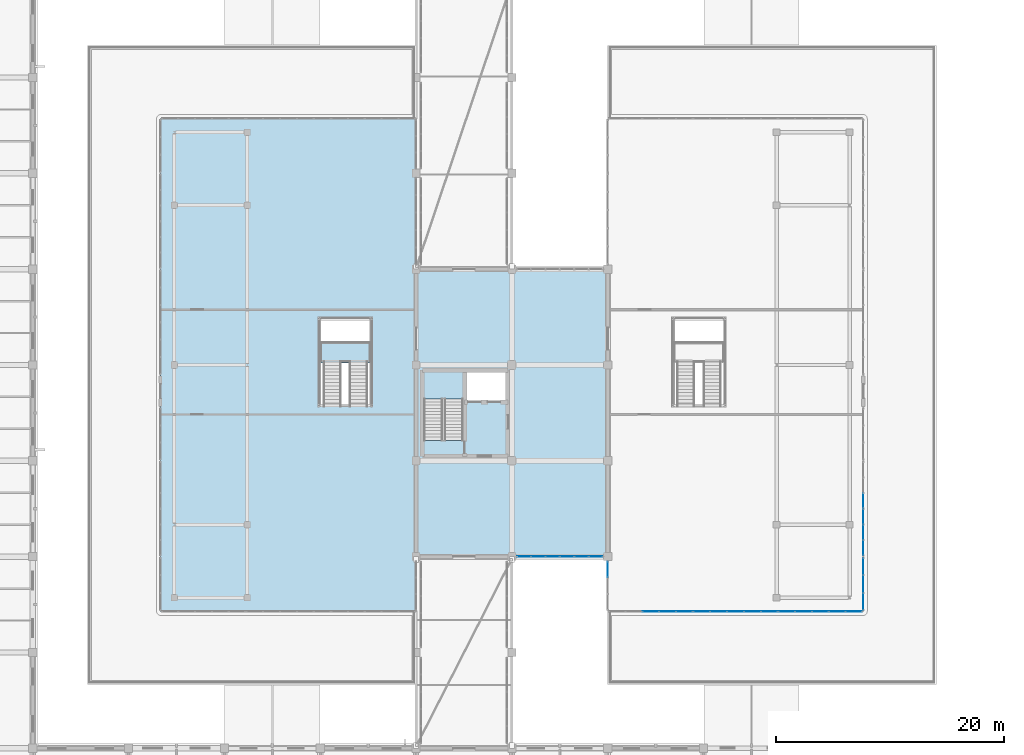
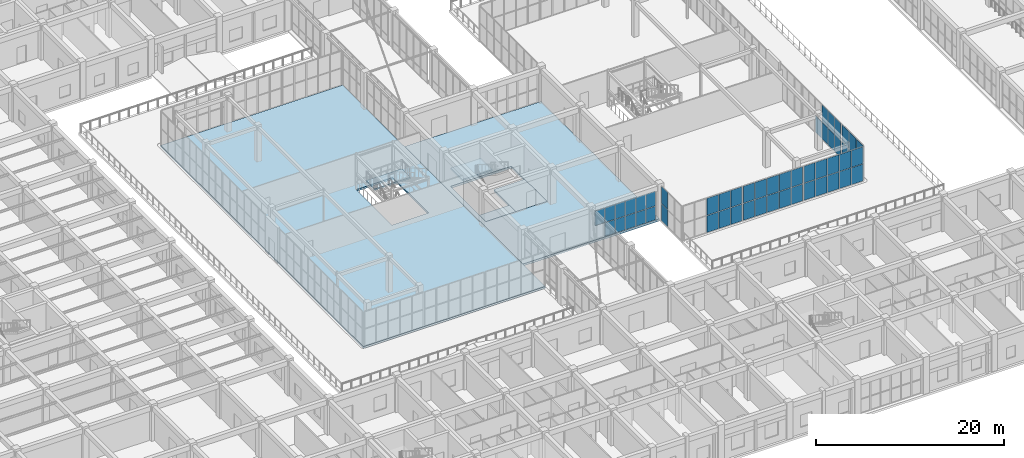
# One storey, part 105 of 158: 52 plates, 6 slabs, 9 elements without a shape of their own.
"""IFC4 building model written with IfcOpenShell, lengths in metres."""

import ifcopenshell
import ifcopenshell.guid

model = None  # the IFC model being written
_history = None  # IfcOwnerHistory: only IFC2X3 demands one
_inside = {}  # id of a spatial element -> (the spatial element, [elements in it])
_under = {}  # id of a project, library or spatial element -> (it, [spatial elements below it])
_declared = {}  # id of a project -> (the project, [libraries it declares])
_typed = {}  # id of a type object -> (the type object, [elements of that type])
_made_of = {}  # id of a material, layer set ... -> (it, [elements and type objects made of it])


def new_model(schema):
    """Start an empty IFC model of exactly this schema.

    Asked for "IFC4X3", IfcOpenShell would pick the latest addendum, in which some entities
    have other attributes; the version numbers below select the first issue.
    IFC2X3 requires an IfcOwnerHistory on every rooted entity: one is made here for all.
    """
    global model, _history
    if schema == "IFC4X3":
        model = ifcopenshell.file(schema_version=(4, 3, 0, 0))
    else:
        model = ifcopenshell.file(schema=schema)
    _inside.clear()
    _under.clear()
    _declared.clear()
    _typed.clear()
    _made_of.clear()
    _history = None
    if model.schema == "IFC2X3":
        org = make("IfcOrganization", Name="unknown")
        user = make(
            "IfcPersonAndOrganization",
            ThePerson=make("IfcPerson", FamilyName="unknown"),
            TheOrganization=org,
        )
        app = make(
            "IfcApplication",
            ApplicationDeveloper=org,
            Version="unknown",
            ApplicationFullName="unknown",
            ApplicationIdentifier="unknown",
        )
        _history = make(
            "IfcOwnerHistory",
            OwningUser=user,
            OwningApplication=app,
            ChangeAction="ADDED",
            CreationDate=0,
        )
    return model


def make(cls, **values):
    """One entity of the class cls with the attributes given. An attribute that is None is left unset."""
    return model.create_entity(
        cls, **{name: value for name, value in values.items() if value is not None}
    )


def rooted(cls, **values):
    """An entity with a GlobalId (a new one), such as an element, a storey or a relation."""
    return make(cls, GlobalId=ifcopenshell.guid.new(), OwnerHistory=_history, **values)


def si_unit(unit_type, name, prefix=None):
    """IfcSIUnit, for example si_unit("LENGTHUNIT", "METRE", prefix="MILLI")."""
    return make("IfcSIUnit", UnitType=unit_type, Prefix=prefix, Name=name)


def assignment(units):
    """IfcUnitAssignment: the units of a project."""
    return None if units is None else make("IfcUnitAssignment", Units=units)


def point(xyz):
    """IfcCartesianPoint."""
    return None if xyz is None else make("IfcCartesianPoint", Coordinates=xyz)


def direction(xyz):
    """IfcDirection."""
    return None if xyz is None else make("IfcDirection", DirectionRatios=xyz)


def frame(location, z_axis=None, x_axis=None):
    """IfcAxis2Placement3D, a coordinate frame: its origin and axes. An axis left out is left unset."""
    return make(
        "IfcAxis2Placement3D",
        Location=point(location),
        Axis=direction(z_axis),
        RefDirection=direction(x_axis),
    )


def frame_2d(location, x_axis=None):
    """IfcAxis2Placement2D, a coordinate frame in the plane: its origin and x axis."""
    return make(
        "IfcAxis2Placement2D", Location=point(location), RefDirection=direction(x_axis)
    )


def origin():
    """The frame at (0, 0, 0) with its axes left unset."""
    return frame((0.0, 0.0, 0.0))


def origin_2d():
    """The frame at (0, 0) in the plane with its x axis left unset."""
    return frame_2d((0.0, 0.0))


def place(relative_to, where):
    """IfcLocalPlacement: puts the frame where relative to a parent placement (None: the world)."""
    return make(
        "IfcLocalPlacement", PlacementRelTo=relative_to, RelativePlacement=where
    )


def context(
    kind, dimensions, precision=None, world=None, true_north=None, identifier=None
):
    """IfcGeometricRepresentationContext, for example the 3D "Model" context."""
    return make(
        "IfcGeometricRepresentationContext",
        ContextIdentifier=identifier,
        ContextType=kind,
        CoordinateSpaceDimension=dimensions,
        Precision=precision,
        WorldCoordinateSystem=world,
        TrueNorth=true_north,
    )


def subcontext(parent, identifier, kind, view, scale=None):
    """IfcGeometricRepresentationSubContext, for example "Body" below "Model"."""
    return make(
        "IfcGeometricRepresentationSubContext",
        ContextIdentifier=identifier,
        ContextType=kind,
        ParentContext=parent,
        TargetScale=scale,
        TargetView=view,
    )


def project(units=None, contexts=None):
    """IfcProject with its units and contexts."""
    return rooted(
        "IfcProject",
        Name="project",
        RepresentationContexts=contexts,
        UnitsInContext=assignment(units),
    )


def spatial(cls, under=None, at=None, **own):
    """A site, building, storey or space (cls), placed at a placement, below another one or the project."""
    s = rooted(cls, ObjectPlacement=at, **own)
    if under is not None:
        _under.setdefault(under.id(), (under, []))[1].append(s)
    return s


def polyline(points):
    """IfcPolyline through the points."""
    return make("IfcPolyline", Points=[point(p) for p in points])


def profile(cls, at=None, kind="AREA", **sizes):
    """A parametric profile (cls). Its sizes go by their IFC names, for example OverallWidth=200.0."""
    return make(cls, ProfileType=kind, Position=at, **sizes)


def rectangle(**sizes):
    """IfcRectangleProfileDef."""
    return profile("IfcRectangleProfileDef", **sizes)


def outline(outer, holes=None, kind="AREA"):
    """IfcArbitraryClosedProfileDef: a profile drawn as a closed curve; with holes, ...WithVoids."""
    if holes is None:
        return make("IfcArbitraryClosedProfileDef", ProfileType=kind, OuterCurve=outer)
    return make(
        "IfcArbitraryProfileDefWithVoids",
        ProfileType=kind,
        OuterCurve=outer,
        InnerCurves=holes,
    )


def extrude(swept, where, along, depth):
    """IfcExtrudedAreaSolid: the profile swept, set in the frame where, extruded along a direction by depth."""
    return make(
        "IfcExtrudedAreaSolid",
        SweptArea=swept,
        Position=where,
        ExtrudedDirection=direction(along),
        Depth=depth,
    )


def shape(context_of_items, identifier, shape_type, items):
    """IfcShapeRepresentation: the items that make up one representation, for example the "Body"."""
    return make(
        "IfcShapeRepresentation",
        ContextOfItems=context_of_items,
        RepresentationIdentifier=identifier,
        RepresentationType=shape_type,
        Items=items,
    )


def material(Name=None, Category=None):
    """IfcMaterial."""
    return make("IfcMaterial", Name=Name, Category=Category)


def layer(
    of_material, thickness, ventilated=None, Name=None, Category=None, Priority=None
):
    """IfcMaterialLayer: one layer of a wall or slab, of a material (None: an air gap)."""
    return make(
        "IfcMaterialLayer",
        Material=of_material,
        LayerThickness=thickness,
        IsVentilated=ventilated,
        Name=Name,
        Category=Category,
        Priority=Priority,
    )


def layer_set(layers, Name=None):
    """IfcMaterialLayerSet."""
    return make("IfcMaterialLayerSet", MaterialLayers=layers, LayerSetName=Name)


def made_of(thing, what):
    """Note that an element or type object is made of a material, layer set ...; save() writes the relation."""
    if what is not None:
        _made_of.setdefault(what.id(), (what, []))[1].append(thing)
    return thing


def type_object(cls, material=None, **own):
    """A type object (cls), such as IfcWallType, which elements share."""
    return made_of(rooted(cls, **own), material)


def element(
    cls,
    number,
    at=None,
    inside=None,
    cuts=None,
    type_object=None,
    material=None,
    context=None,
    identifier="Body",
    shape_type=None,
    held_by="IfcProductDefinitionShape",
    body=None,
    shapes=None,
    **own,
):
    """One element of the class cls, such as IfcWall. Its Tag is "e" and its number.

    at: its placement. inside: the storey or other place that contains it. cuts: it is an
    opening in that element (IfcRelVoidsElement). A single representation is given by context,
    identifier, shape_type and body (its items); several are given by shapes. held_by: the class
    of the entity that holds the representations. save() writes the other relations.
    """
    e = rooted(cls, Tag="e%d" % number, ObjectPlacement=at, **own)
    if body is not None:
        shapes = [shape(context, identifier, shape_type, body)]
    if shapes is not None:
        e.Representation = make(held_by, Representations=shapes)
    if inside is not None:
        _inside.setdefault(inside.id(), (inside, []))[1].append(e)
    if cuts is not None:
        rooted(
            "IfcRelVoidsElement", RelatingBuildingElement=cuts, RelatedOpeningElement=e
        )
    if type_object is not None:
        _typed.setdefault(type_object.id(), (type_object, []))[1].append(e)
    return made_of(e, material)


def aggregate(whole, parts):
    """IfcRelAggregates: a whole, such as a stair, and the parts it consists of."""
    return rooted("IfcRelAggregates", RelatingObject=whole, RelatedObjects=parts)


def save(model, path):
    """Write the relations noted so far, then the file.

    IfcRelAggregates (storeys below a building ...), IfcRelContainedInSpatialStructure (elements
    in a storey), IfcRelDefinesByType, IfcRelAssociatesMaterial and IfcRelDeclares: one each for
    every whole, place, type object, material and project.
    """
    for whole, parts in _under.values():
        aggregate(whole, parts)
    for where, things in _inside.values():
        rooted(
            "IfcRelContainedInSpatialStructure",
            RelatedElements=things,
            RelatingStructure=where,
        )
    for kind, things in _typed.values():
        rooted("IfcRelDefinesByType", RelatedObjects=things, RelatingType=kind)
    for what, things in _made_of.values():
        rooted("IfcRelAssociatesMaterial", RelatedObjects=things, RelatingMaterial=what)
    for by, libraries in _declared.values():
        rooted("IfcRelDeclares", RelatingContext=by, RelatedDefinitions=libraries)
    model.write(path)


model = new_model("IFC4")

# Units and contexts
model_context = context("Model", 3, precision=1e-05, world=origin(), true_north=direction((0.0, 1.0)))
body_context = subcontext(model_context, "Body", "Model", "MODEL_VIEW")
ifc_project = project(units=[si_unit("LENGTHUNIT", "METRE"), si_unit("AREAUNIT", "SQUARE_METRE"), si_unit("VOLUMEUNIT", "CUBIC_METRE"), si_unit("PLANEANGLEUNIT", "RADIAN"), si_unit("MASSUNIT", "GRAM", prefix="KILO")], contexts=[model_context])

# Site, building, storey
site_placement = place(None, origin())
site = spatial("IfcSite", under=ifc_project, at=site_placement, CompositionType="ELEMENT")
building_placement = place(site_placement, origin())
building = spatial("IfcBuilding", under=site, at=building_placement, Name="Trelvath General Hospital", CompositionType="ELEMENT")
storey_placement = place(building_placement, frame((0.0, 0.0, 8.10009765625)))
storey = spatial("IfcBuildingStorey", under=building, at=storey_placement, Name="L02", CompositionType="ELEMENT", Elevation=8.10009765625)

# Curtain wall, plates
ifc_material_1 = material(Name="Anodised aluminium and low-E glass", Category="aluminium")
ifc_layer_1 = layer(ifc_material_1, 0.139892578125)
ifc_layer_set_1 = layer_set([ifc_layer_1], Name="Anodised aluminium and low-E glass")
curtain_wall_type_1 = type_object("IfcCurtainWallType", Name="CW CrystalCube 737 456 14", PredefinedType="USERDEFINED", material=ifc_layer_set_1)
curtain_wall_1_placement = place(storey_placement, origin())
curtain_wall_1 = element("IfcCurtainWall", 1, at=curtain_wall_1_placement, inside=storey, type_object=curtain_wall_type_1, Name="Crystal Cube Curtain Wall CUBE-E-T1 S1 L02", ObjectType="Unitised Glazed Curtain Wall", PredefinedType="USERDEFINED")
ifc_material_2 = material(Name="Low-E laminated glass", Category="glass")
ifc_layer_2 = layer(ifc_material_2, 0.028076171875)
ifc_layer_set_2 = layer_set([ifc_layer_2], Name="Low-E laminated glass")
plate_type_1 = type_object("IfcPlateType", Name="CurtainPanel Glass28", PredefinedType="CURTAIN_PANEL", material=ifc_layer_set_2)
plate_1_placement = place(storey_placement, frame((99.094970703125, 37.199951171875, 0.059814453125), z_axis=(0.0, 0.0, 1.0), x_axis=(-1.0, 0.0, 0.0)))
plate_1 = element("IfcPlate", 2, at=plate_1_placement, type_object=plate_type_1, Name="CW-205 panel 1.1", PredefinedType="CURTAIN_PANEL", context=body_context, shape_type="SweptSolid", body=[
    extrude(rectangle(XDim=1.38330078125, YDim=0.028076171875, at=origin_2d()), origin(), (0.0, 0.0, 1.0), 2.18994140625),
])
plate_2_placement = place(storey_placement, frame((99.094970703125, 37.199951171875, 2.309814453125), z_axis=(0.0, 0.0, 1.0), x_axis=(-1.0, 0.0, 0.0)))
plate_2 = element("IfcPlate", 3, at=plate_2_placement, type_object=plate_type_1, Name="CW-205 panel 1.2", PredefinedType="CURTAIN_PANEL", context=body_context, shape_type="SweptSolid", body=[
    extrude(rectangle(XDim=1.38330078125, YDim=0.028076171875, at=origin_2d()), origin(), (0.0, 0.0, 1.0), 2.18994140625),
])
plate_3_placement = place(storey_placement, frame((97.63671875, 37.199951171875, 0.059814453125), z_axis=(0.0, 0.0, 1.0), x_axis=(-1.0, 0.0, 0.0)))
plate_3 = element("IfcPlate", 4, at=plate_3_placement, type_object=plate_type_1, Name="CW-205 panel 2.1", PredefinedType="CURTAIN_PANEL", context=body_context, shape_type="SweptSolid", body=[
    extrude(rectangle(XDim=1.413330078125, YDim=0.028076171875, at=origin_2d()), origin(), (0.0, 0.0, 1.0), 2.18994140625),
])
plate_4_placement = place(storey_placement, frame((97.63671875, 37.199951171875, 2.309814453125), z_axis=(0.0, 0.0, 1.0), x_axis=(-1.0, 0.0, 0.0)))
plate_4 = element("IfcPlate", 5, at=plate_4_placement, type_object=plate_type_1, Name="CW-205 panel 2.2", PredefinedType="CURTAIN_PANEL", context=body_context, shape_type="SweptSolid", body=[
    extrude(rectangle(XDim=1.413330078125, YDim=0.028076171875, at=origin_2d()), origin(), (0.0, 0.0, 1.0), 2.18994140625),
])
plate_5_placement = place(storey_placement, frame((96.163330078125, 37.199951171875, 0.059814453125), z_axis=(0.0, 0.0, 1.0), x_axis=(-1.0, 0.0, 0.0)))
plate_5 = element("IfcPlate", 6, at=plate_5_placement, type_object=plate_type_1, Name="CW-205 panel 3.1", PredefinedType="CURTAIN_PANEL", context=body_context, shape_type="SweptSolid", body=[
    extrude(rectangle(XDim=1.413330078125, YDim=0.028076171875, at=origin_2d()), origin(), (0.0, 0.0, 1.0), 2.18994140625),
])
plate_6_placement = place(storey_placement, frame((96.163330078125, 37.199951171875, 2.309814453125), z_axis=(0.0, 0.0, 1.0), x_axis=(-1.0, 0.0, 0.0)))
plate_6 = element("IfcPlate", 7, at=plate_6_placement, type_object=plate_type_1, Name="CW-205 panel 3.2", PredefinedType="CURTAIN_PANEL", context=body_context, shape_type="SweptSolid", body=[
    extrude(rectangle(XDim=1.413330078125, YDim=0.028076171875, at=origin_2d()), origin(), (0.0, 0.0, 1.0), 2.18994140625),
])
aggregate(curtain_wall_1, [plate_1, plate_2, plate_3, plate_4, plate_5, plate_6])

ifc_material_3 = material(Name="Anodised aluminium and low-E glass", Category="aluminium")
ifc_layer_3 = layer(ifc_material_3, 0.139892578125)
ifc_layer_set_3 = layer_set([ifc_layer_3], Name="Anodised aluminium and low-E glass")
curtain_wall_type_2 = type_object("IfcCurtainWallType", Name="CW CrystalCube 743 456 14", PredefinedType="USERDEFINED", material=ifc_layer_set_3)
curtain_wall_2_placement = place(storey_placement, origin())
curtain_wall_2 = element("IfcCurtainWall", 8, at=curtain_wall_2_placement, inside=storey, type_object=curtain_wall_type_2, Name="Crystal Cube Curtain Wall CUBE-E-T1 S2 L02", ObjectType="Unitised Glazed Curtain Wall", PredefinedType="USERDEFINED")
plate_7_placement = place(storey_placement, frame((106.5556640625, 37.199951171875, 0.059814453125), z_axis=(0.0, 0.0, 1.0), x_axis=(-1.0, 0.0, 0.0)))
plate_7 = element("IfcPlate", 9, at=plate_7_placement, type_object=plate_type_1, Name="CW-206 panel 1.1", PredefinedType="CURTAIN_PANEL", context=body_context, shape_type="SweptSolid", body=[
    extrude(rectangle(XDim=1.395263671875, YDim=0.028076171875, at=origin_2d()), origin(), (0.0, 0.0, 1.0), 2.18994140625),
])
plate_8_placement = place(storey_placement, frame((106.5556640625, 37.199951171875, 2.309814453125), z_axis=(0.0, 0.0, 1.0), x_axis=(-1.0, 0.0, 0.0)))
plate_8 = element("IfcPlate", 10, at=plate_8_placement, type_object=plate_type_1, Name="CW-206 panel 1.2", PredefinedType="CURTAIN_PANEL", context=body_context, shape_type="SweptSolid", body=[
    extrude(rectangle(XDim=1.395263671875, YDim=0.028076171875, at=origin_2d()), origin(), (0.0, 0.0, 1.0), 2.18994140625),
])
plate_9_placement = place(storey_placement, frame((105.085205078125, 37.199951171875, 0.059814453125), z_axis=(0.0, 0.0, 1.0), x_axis=(-1.0, 0.0, 0.0)))
plate_9 = element("IfcPlate", 11, at=plate_9_placement, type_object=plate_type_1, Name="CW-206 panel 2.1", PredefinedType="CURTAIN_PANEL", context=body_context, shape_type="SweptSolid", body=[
    extrude(rectangle(XDim=1.42529296875, YDim=0.028076171875, at=origin_2d()), origin(), (0.0, 0.0, 1.0), 2.18994140625),
])
plate_10_placement = place(storey_placement, frame((105.085205078125, 37.199951171875, 2.309814453125), z_axis=(0.0, 0.0, 1.0), x_axis=(-1.0, 0.0, 0.0)))
plate_10 = element("IfcPlate", 12, at=plate_10_placement, type_object=plate_type_1, Name="CW-206 panel 2.2", PredefinedType="CURTAIN_PANEL", context=body_context, shape_type="SweptSolid", body=[
    extrude(rectangle(XDim=1.42529296875, YDim=0.028076171875, at=origin_2d()), origin(), (0.0, 0.0, 1.0), 2.18994140625),
])
plate_11_placement = place(storey_placement, frame((103.60009765625, 37.199951171875, 0.059814453125), z_axis=(0.0, 0.0, 1.0), x_axis=(-1.0, 0.0, 0.0)))
plate_11 = element("IfcPlate", 13, at=plate_11_placement, type_object=plate_type_1, Name="CW-206 panel 3.1", PredefinedType="CURTAIN_PANEL", context=body_context, shape_type="SweptSolid", body=[
    extrude(rectangle(XDim=1.42529296875, YDim=0.028076171875, at=origin_2d()), origin(), (0.0, 0.0, 1.0), 2.18994140625),
])
plate_12_placement = place(storey_placement, frame((103.60009765625, 37.199951171875, 2.309814453125), z_axis=(0.0, 0.0, 1.0), x_axis=(-1.0, 0.0, 0.0)))
plate_12 = element("IfcPlate", 14, at=plate_12_placement, type_object=plate_type_1, Name="CW-206 panel 3.2", PredefinedType="CURTAIN_PANEL", context=body_context, shape_type="SweptSolid", body=[
    extrude(rectangle(XDim=1.42529296875, YDim=0.028076171875, at=origin_2d()), origin(), (0.0, 0.0, 1.0), 2.18994140625),
])
plate_13_placement = place(storey_placement, frame((102.11474609375, 37.199951171875, 0.059814453125), z_axis=(0.0, 0.0, 1.0), x_axis=(-1.0, 0.0, 0.0)))
plate_13 = element("IfcPlate", 15, at=plate_13_placement, type_object=plate_type_1, Name="CW-206 panel 4.1", PredefinedType="CURTAIN_PANEL", context=body_context, shape_type="SweptSolid", body=[
    extrude(rectangle(XDim=1.42529296875, YDim=0.028076171875, at=origin_2d()), origin(), (0.0, 0.0, 1.0), 2.18994140625),
])
plate_14_placement = place(storey_placement, frame((102.11474609375, 37.199951171875, 2.309814453125), z_axis=(0.0, 0.0, 1.0), x_axis=(-1.0, 0.0, 0.0)))
plate_14 = element("IfcPlate", 16, at=plate_14_placement, type_object=plate_type_1, Name="CW-206 panel 4.2", PredefinedType="CURTAIN_PANEL", context=body_context, shape_type="SweptSolid", body=[
    extrude(rectangle(XDim=1.42529296875, YDim=0.028076171875, at=origin_2d()), origin(), (0.0, 0.0, 1.0), 2.18994140625),
])
plate_15_placement = place(storey_placement, frame((100.644287109375, 37.199951171875, 0.059814453125), z_axis=(0.0, 0.0, 1.0), x_axis=(-1.0, 0.0, 0.0)))
plate_15 = element("IfcPlate", 17, at=plate_15_placement, type_object=plate_type_1, Name="CW-206 panel 5.1", PredefinedType="CURTAIN_PANEL", context=body_context, shape_type="SweptSolid", body=[
    extrude(rectangle(XDim=1.395263671875, YDim=0.028076171875, at=origin_2d()), origin(), (0.0, 0.0, 1.0), 2.18994140625),
])
plate_16_placement = place(storey_placement, frame((100.644287109375, 37.199951171875, 2.309814453125), z_axis=(0.0, 0.0, 1.0), x_axis=(-1.0, 0.0, 0.0)))
plate_16 = element("IfcPlate", 18, at=plate_16_placement, type_object=plate_type_1, Name="CW-206 panel 5.2", PredefinedType="CURTAIN_PANEL", context=body_context, shape_type="SweptSolid", body=[
    extrude(rectangle(XDim=1.395263671875, YDim=0.028076171875, at=origin_2d()), origin(), (0.0, 0.0, 1.0), 2.18994140625),
])
aggregate(curtain_wall_2, [plate_7, plate_8, plate_9, plate_10, plate_11, plate_12, plate_13, plate_14, plate_15, plate_16])

curtain_wall_3_placement = place(storey_placement, origin())
curtain_wall_3 = element("IfcCurtainWall", 19, at=curtain_wall_3_placement, inside=storey, type_object=curtain_wall_type_1, Name="Crystal Cube Curtain Wall CUBE-E-T1 S3 L02", ObjectType="Unitised Glazed Curtain Wall", PredefinedType="USERDEFINED")
plate_17_placement = place(storey_placement, frame((113.96826171875, 37.199951171875, 0.059814453125), z_axis=(0.0, 0.0, 1.0), x_axis=(-1.0, 0.0, 0.0)))
plate_17 = element("IfcPlate", 20, at=plate_17_placement, type_object=plate_type_1, Name="CW-207 panel 1.1", PredefinedType="CURTAIN_PANEL", context=body_context, shape_type="SweptSolid", body=[
    extrude(rectangle(XDim=1.38330078125, YDim=0.028076171875, at=origin_2d()), origin(), (0.0, 0.0, 1.0), 2.18994140625),
])
plate_18_placement = place(storey_placement, frame((113.96826171875, 37.199951171875, 2.309814453125), z_axis=(0.0, 0.0, 1.0), x_axis=(-1.0, 0.0, 0.0)))
plate_18 = element("IfcPlate", 21, at=plate_18_placement, type_object=plate_type_1, Name="CW-207 panel 1.2", PredefinedType="CURTAIN_PANEL", context=body_context, shape_type="SweptSolid", body=[
    extrude(rectangle(XDim=1.38330078125, YDim=0.028076171875, at=origin_2d()), origin(), (0.0, 0.0, 1.0), 2.18994140625),
])
plate_19_placement = place(storey_placement, frame((112.510009765625, 37.199951171875, 0.059814453125), z_axis=(0.0, 0.0, 1.0), x_axis=(-1.0, 0.0, 0.0)))
plate_19 = element("IfcPlate", 22, at=plate_19_placement, type_object=plate_type_1, Name="CW-207 panel 2.1", PredefinedType="CURTAIN_PANEL", context=body_context, shape_type="SweptSolid", body=[
    extrude(rectangle(XDim=1.413330078125, YDim=0.028076171875, at=origin_2d()), origin(), (0.0, 0.0, 1.0), 2.18994140625),
])
plate_20_placement = place(storey_placement, frame((112.510009765625, 37.199951171875, 2.309814453125), z_axis=(0.0, 0.0, 1.0), x_axis=(-1.0, 0.0, 0.0)))
plate_20 = element("IfcPlate", 23, at=plate_20_placement, type_object=plate_type_1, Name="CW-207 panel 2.2", PredefinedType="CURTAIN_PANEL", context=body_context, shape_type="SweptSolid", body=[
    extrude(rectangle(XDim=1.413330078125, YDim=0.028076171875, at=origin_2d()), origin(), (0.0, 0.0, 1.0), 2.18994140625),
])
plate_21_placement = place(storey_placement, frame((111.03662109375, 37.199951171875, 0.059814453125), z_axis=(0.0, 0.0, 1.0), x_axis=(-1.0, 0.0, 0.0)))
plate_21 = element("IfcPlate", 24, at=plate_21_placement, type_object=plate_type_1, Name="CW-207 panel 3.1", PredefinedType="CURTAIN_PANEL", context=body_context, shape_type="SweptSolid", body=[
    extrude(rectangle(XDim=1.413330078125, YDim=0.028076171875, at=origin_2d()), origin(), (0.0, 0.0, 1.0), 2.18994140625),
])
plate_22_placement = place(storey_placement, frame((111.03662109375, 37.199951171875, 2.309814453125), z_axis=(0.0, 0.0, 1.0), x_axis=(-1.0, 0.0, 0.0)))
plate_22 = element("IfcPlate", 25, at=plate_22_placement, type_object=plate_type_1, Name="CW-207 panel 3.2", PredefinedType="CURTAIN_PANEL", context=body_context, shape_type="SweptSolid", body=[
    extrude(rectangle(XDim=1.413330078125, YDim=0.028076171875, at=origin_2d()), origin(), (0.0, 0.0, 1.0), 2.18994140625),
])
plate_23_placement = place(storey_placement, frame((109.563232421875, 37.199951171875, 0.059814453125), z_axis=(0.0, 0.0, 1.0), x_axis=(-1.0, 0.0, 0.0)))
plate_23 = element("IfcPlate", 26, at=plate_23_placement, type_object=plate_type_1, Name="CW-207 panel 4.1", PredefinedType="CURTAIN_PANEL", context=body_context, shape_type="SweptSolid", body=[
    extrude(rectangle(XDim=1.413330078125, YDim=0.028076171875, at=origin_2d()), origin(), (0.0, 0.0, 1.0), 2.18994140625),
])
plate_24_placement = place(storey_placement, frame((109.563232421875, 37.199951171875, 2.309814453125), z_axis=(0.0, 0.0, 1.0), x_axis=(-1.0, 0.0, 0.0)))
plate_24 = element("IfcPlate", 27, at=plate_24_placement, type_object=plate_type_1, Name="CW-207 panel 4.2", PredefinedType="CURTAIN_PANEL", context=body_context, shape_type="SweptSolid", body=[
    extrude(rectangle(XDim=1.413330078125, YDim=0.028076171875, at=origin_2d()), origin(), (0.0, 0.0, 1.0), 2.18994140625),
])
plate_25_placement = place(storey_placement, frame((108.10498046875, 37.199951171875, 0.059814453125), z_axis=(0.0, 0.0, 1.0), x_axis=(-1.0, 0.0, 0.0)))
plate_25 = element("IfcPlate", 28, at=plate_25_placement, type_object=plate_type_1, Name="CW-207 panel 5.1", PredefinedType="CURTAIN_PANEL", context=body_context, shape_type="SweptSolid", body=[
    extrude(rectangle(XDim=1.38330078125, YDim=0.028076171875, at=origin_2d()), origin(), (0.0, 0.0, 1.0), 2.18994140625),
])
plate_26_placement = place(storey_placement, frame((108.10498046875, 37.199951171875, 2.309814453125), z_axis=(0.0, 0.0, 1.0), x_axis=(-1.0, 0.0, 0.0)))
plate_26 = element("IfcPlate", 29, at=plate_26_placement, type_object=plate_type_1, Name="CW-207 panel 5.2", PredefinedType="CURTAIN_PANEL", context=body_context, shape_type="SweptSolid", body=[
    extrude(rectangle(XDim=1.38330078125, YDim=0.028076171875, at=origin_2d()), origin(), (0.0, 0.0, 1.0), 2.18994140625),
])
aggregate(curtain_wall_3, [plate_17, plate_18, plate_19, plate_20, plate_21, plate_22, plate_23, plate_24, plate_25, plate_26])

ifc_material_4 = material(Name="Anodised aluminium and low-E glass", Category="aluminium")
ifc_layer_4 = layer(ifc_material_4, 0.139892578125)
ifc_layer_set_4 = layer_set([ifc_layer_4], Name="Anodised aluminium and low-E glass")
curtain_wall_type_3 = type_object("IfcCurtainWallType", Name="CW CrystalCube 464 456 14", PredefinedType="USERDEFINED", material=ifc_layer_set_4)
curtain_wall_4_placement = place(storey_placement, origin())
curtain_wall_4 = element("IfcCurtainWall", 30, at=curtain_wall_4_placement, inside=storey, type_object=curtain_wall_type_3, Name="Crystal Cube Curtain Wall CUBE-E-T1 E1 L02", ObjectType="Unitised Glazed Curtain Wall", PredefinedType="USERDEFINED")
plate_27_placement = place(storey_placement, frame((114.800048828125, 41.131591796875, 0.059814453125), z_axis=(0.0, 0.0, 1.0), x_axis=(0.0, -1.0, 0.0)))
plate_27 = element("IfcPlate", 31, at=plate_27_placement, type_object=plate_type_1, Name="CW-211 panel 1.1", PredefinedType="CURTAIN_PANEL", context=body_context, shape_type="SweptSolid", body=[
    extrude(rectangle(XDim=1.456787109375, YDim=0.028076171875, at=origin_2d()), origin(), (0.0, 0.0, 1.0), 2.18994140625),
])
plate_28_placement = place(storey_placement, frame((114.800048828125, 41.131591796875, 2.309814453125), z_axis=(0.0, 0.0, 1.0), x_axis=(0.0, -1.0, 0.0)))
plate_28 = element("IfcPlate", 32, at=plate_28_placement, type_object=plate_type_1, Name="CW-211 panel 1.2", PredefinedType="CURTAIN_PANEL", context=body_context, shape_type="SweptSolid", body=[
    extrude(rectangle(XDim=1.456787109375, YDim=0.028076171875, at=origin_2d()), origin(), (0.0, 0.0, 1.0), 2.18994140625),
])
plate_29_placement = place(storey_placement, frame((114.800048828125, 39.60009765625, 0.059814453125), z_axis=(0.0, 0.0, 1.0), x_axis=(0.0, -1.0, 0.0)))
plate_29 = element("IfcPlate", 33, at=plate_29_placement, type_object=plate_type_1, Name="CW-211 panel 2.1", PredefinedType="CURTAIN_PANEL", context=body_context, shape_type="SweptSolid", body=[
    extrude(rectangle(XDim=1.486572265625, YDim=0.028076171875, at=origin_2d()), origin(), (0.0, 0.0, 1.0), 2.18994140625),
])
plate_30_placement = place(storey_placement, frame((114.800048828125, 39.60009765625, 2.309814453125), z_axis=(0.0, 0.0, 1.0), x_axis=(0.0, -1.0, 0.0)))
plate_30 = element("IfcPlate", 34, at=plate_30_placement, type_object=plate_type_1, Name="CW-211 panel 2.2", PredefinedType="CURTAIN_PANEL", context=body_context, shape_type="SweptSolid", body=[
    extrude(rectangle(XDim=1.486572265625, YDim=0.028076171875, at=origin_2d()), origin(), (0.0, 0.0, 1.0), 2.18994140625),
])
plate_31_placement = place(storey_placement, frame((114.800048828125, 38.068359375, 0.059814453125), z_axis=(0.0, 0.0, 1.0), x_axis=(0.0, -1.0, 0.0)))
plate_31 = element("IfcPlate", 35, at=plate_31_placement, type_object=plate_type_1, Name="CW-211 panel 3.1", PredefinedType="CURTAIN_PANEL", context=body_context, shape_type="SweptSolid", body=[
    extrude(rectangle(XDim=1.456787109375, YDim=0.028076171875, at=origin_2d()), origin(), (0.0, 0.0, 1.0), 2.18994140625),
])
plate_32_placement = place(storey_placement, frame((114.800048828125, 38.068359375, 2.309814453125), z_axis=(0.0, 0.0, 1.0), x_axis=(0.0, -1.0, 0.0)))
plate_32 = element("IfcPlate", 36, at=plate_32_placement, type_object=plate_type_1, Name="CW-211 panel 3.2", PredefinedType="CURTAIN_PANEL", context=body_context, shape_type="SweptSolid", body=[
    extrude(rectangle(XDim=1.456787109375, YDim=0.028076171875, at=origin_2d()), origin(), (0.0, 0.0, 1.0), 2.18994140625),
])
aggregate(curtain_wall_4, [plate_27, plate_28, plate_29, plate_30, plate_31, plate_32])

ifc_material_5 = material(Name="Anodised aluminium and low-E glass", Category="aluminium")
ifc_layer_5 = layer(ifc_material_5, 0.139892578125)
ifc_layer_set_5 = layer_set([ifc_layer_5], Name="Anodised aluminium and low-E glass")
curtain_wall_type_4 = type_object("IfcCurtainWallType", Name="CW CrystalCube 433 456 14", PredefinedType="USERDEFINED", material=ifc_layer_set_5)
curtain_wall_5_placement = place(storey_placement, origin())
curtain_wall_5 = element("IfcCurtainWall", 37, at=curtain_wall_5_placement, inside=storey, type_object=curtain_wall_type_4, Name="Crystal Cube Curtain Wall CUBE-E-T1 W1 L02", ObjectType="Unitised Glazed Curtain Wall", PredefinedType="USERDEFINED")
plate_33_placement = place(storey_placement, frame((92.39990234375, 40.873291015625, 0.059814453125), z_axis=(0.0, 0.0, 1.0), x_axis=(0.0, 1.0, 0.0)))
plate_33 = element("IfcPlate", 38, at=plate_33_placement, type_object=plate_type_1, Name="CW-212 panel 3.1", PredefinedType="CURTAIN_PANEL", context=body_context, shape_type="SweptSolid", body=[
    extrude(rectangle(XDim=1.353271484375, YDim=0.028076171875, at=origin_2d()), origin(), (0.0, 0.0, 1.0), 2.18994140625),
])
plate_34_placement = place(storey_placement, frame((92.39990234375, 40.873291015625, 2.309814453125), z_axis=(0.0, 0.0, 1.0), x_axis=(0.0, 1.0, 0.0)))
plate_34 = element("IfcPlate", 39, at=plate_34_placement, type_object=plate_type_1, Name="CW-212 panel 3.2", PredefinedType="CURTAIN_PANEL", context=body_context, shape_type="SweptSolid", body=[
    extrude(rectangle(XDim=1.353271484375, YDim=0.028076171875, at=origin_2d()), origin(), (0.0, 0.0, 1.0), 2.18994140625),
])
aggregate(curtain_wall_5, [plate_33, plate_34])

ifc_material_6 = material(Name="Anodised aluminium and low-E glass", Category="aluminium")
ifc_layer_6 = layer(ifc_material_6, 0.139892578125)
ifc_layer_set_6 = layer_set([ifc_layer_6], Name="Anodised aluminium and low-E glass")
curtain_wall_type_5 = type_object("IfcCurtainWallType", Name="CW CrystalCube 824 456 14", PredefinedType="USERDEFINED", material=ifc_layer_set_6)
curtain_wall_6_placement = place(storey_placement, origin())
curtain_wall_6 = element("IfcCurtainWall", 40, at=curtain_wall_6_placement, inside=storey, type_object=curtain_wall_type_5, Name="Crystal Cube Curtain Wall CUBE-E-T1 E2 L02", ObjectType="Unitised Glazed Curtain Wall", PredefinedType="USERDEFINED")
plate_35_placement = place(storey_placement, frame((114.800048828125, 46.88671875, 0.059814453125), z_axis=(0.0, 0.0, 1.0), x_axis=(0.0, -1.0, 0.0)))
plate_35 = element("IfcPlate", 41, at=plate_35_placement, type_object=plate_type_1, Name="CW-213 panel 3.1", PredefinedType="CURTAIN_PANEL", context=body_context, shape_type="SweptSolid", body=[
    extrude(rectangle(XDim=1.313232421875, YDim=0.028076171875, at=origin_2d()), origin(), (0.0, 0.0, 1.0), 2.18994140625),
])
plate_36_placement = place(storey_placement, frame((114.800048828125, 45.513427734375, 0.059814453125), z_axis=(0.0, 0.0, 1.0), x_axis=(0.0, -1.0, 0.0)))
plate_36 = element("IfcPlate", 42, at=plate_36_placement, type_object=plate_type_1, Name="CW-213 panel 4.1", PredefinedType="CURTAIN_PANEL", context=body_context, shape_type="SweptSolid", body=[
    extrude(rectangle(XDim=1.313232421875, YDim=0.028076171875, at=origin_2d()), origin(), (0.0, 0.0, 1.0), 2.18994140625),
])
plate_37_placement = place(storey_placement, frame((114.800048828125, 45.513427734375, 2.309814453125), z_axis=(0.0, 0.0, 1.0), x_axis=(0.0, -1.0, 0.0)))
plate_37 = element("IfcPlate", 43, at=plate_37_placement, type_object=plate_type_1, Name="CW-213 panel 4.2", PredefinedType="CURTAIN_PANEL", context=body_context, shape_type="SweptSolid", body=[
    extrude(rectangle(XDim=1.313232421875, YDim=0.028076171875, at=origin_2d()), origin(), (0.0, 0.0, 1.0), 2.18994140625),
])
plate_38_placement = place(storey_placement, frame((114.800048828125, 44.139892578125, 0.059814453125), z_axis=(0.0, 0.0, 1.0), x_axis=(0.0, -1.0, 0.0)))
plate_38 = element("IfcPlate", 44, at=plate_38_placement, type_object=plate_type_1, Name="CW-213 panel 5.1", PredefinedType="CURTAIN_PANEL", context=body_context, shape_type="SweptSolid", body=[
    extrude(rectangle(XDim=1.313232421875, YDim=0.028076171875, at=origin_2d()), origin(), (0.0, 0.0, 1.0), 2.18994140625),
])
plate_39_placement = place(storey_placement, frame((114.800048828125, 44.139892578125, 2.309814453125), z_axis=(0.0, 0.0, 1.0), x_axis=(0.0, -1.0, 0.0)))
plate_39 = element("IfcPlate", 45, at=plate_39_placement, type_object=plate_type_1, Name="CW-213 panel 5.2", PredefinedType="CURTAIN_PANEL", context=body_context, shape_type="SweptSolid", body=[
    extrude(rectangle(XDim=1.313232421875, YDim=0.028076171875, at=origin_2d()), origin(), (0.0, 0.0, 1.0), 2.18994140625),
])
plate_40_placement = place(storey_placement, frame((114.800048828125, 42.78173828125, 0.059814453125), z_axis=(0.0, 0.0, 1.0), x_axis=(0.0, -1.0, 0.0)))
plate_40 = element("IfcPlate", 46, at=plate_40_placement, type_object=plate_type_1, Name="CW-213 panel 6.1", PredefinedType="CURTAIN_PANEL", context=body_context, shape_type="SweptSolid", body=[
    extrude(rectangle(XDim=1.283447265625, YDim=0.028076171875, at=origin_2d()), origin(), (0.0, 0.0, 1.0), 2.18994140625),
])
plate_41_placement = place(storey_placement, frame((114.800048828125, 42.78173828125, 2.309814453125), z_axis=(0.0, 0.0, 1.0), x_axis=(0.0, -1.0, 0.0)))
plate_41 = element("IfcPlate", 47, at=plate_41_placement, type_object=plate_type_1, Name="CW-213 panel 6.2", PredefinedType="CURTAIN_PANEL", context=body_context, shape_type="SweptSolid", body=[
    extrude(rectangle(XDim=1.283447265625, YDim=0.028076171875, at=origin_2d()), origin(), (0.0, 0.0, 1.0), 2.18994140625),
])
aggregate(curtain_wall_6, [plate_35, plate_36, plate_37, plate_38, plate_39, plate_40, plate_41])

ifc_material_7 = material(Name="Anodised aluminium and low-E glass", Category="aluminium")
ifc_layer_7 = layer(ifc_material_7, 0.159912109375)
ifc_layer_set_7 = layer_set([ifc_layer_7], Name="Anodised aluminium and low-E glass")
curtain_wall_type_6 = type_object("IfcCurtainWallType", Name="CW Facade 757 386 16", PredefinedType="USERDEFINED", material=ifc_layer_set_7)
curtain_wall_7_placement = place(storey_placement, origin())
curtain_wall_7 = element("IfcCurtainWall", 48, at=curtain_wall_7_placement, inside=storey, type_object=curtain_wall_type_6, Name="Facade Curtain Wall CW-042", ObjectType="Unitised Glazed Curtain Wall", PredefinedType="USERDEFINED")
ifc_material_8 = material(Name="Low-E laminated glass", Category="glass")
ifc_layer_8 = layer(ifc_material_8, 0.035888671875)
ifc_layer_set_8 = layer_set([ifc_layer_8], Name="Low-E laminated glass")
plate_type_2 = type_object("IfcPlateType", Name="CurtainPanel Glass36", PredefinedType="CURTAIN_PANEL", material=ifc_layer_set_8)
plate_42_placement = place(storey_placement, frame((91.339111328125, 42.0, 0.06005859375), z_axis=(0.0, 0.0, 1.0), x_axis=(-1.0, 0.0, 0.0)))
plate_42 = element("IfcPlate", 49, at=plate_42_placement, type_object=plate_type_2, Name="CW-042 panel 1.1", PredefinedType="CURTAIN_PANEL", context=body_context, shape_type="SweptSolid", body=[
    extrude(rectangle(XDim=1.171630859375, YDim=0.035888671875, at=origin_2d()), origin(), (0.0, 0.0, 1.0), 1.762939453125),
])
plate_43_placement = place(storey_placement, frame((91.339111328125, 42.0, 1.8828125), z_axis=(0.0, 0.0, 1.0), x_axis=(-1.0, 0.0, 0.0)))
plate_43 = element("IfcPlate", 50, at=plate_43_placement, type_object=plate_type_2, Name="CW-042 panel 1.2", PredefinedType="CURTAIN_PANEL", context=body_context, shape_type="SweptSolid", body=[
    extrude(rectangle(XDim=1.171630859375, YDim=0.035888671875, at=origin_2d()), origin(), (0.0, 0.0, 1.0), 1.9169921875),
])
plate_44_placement = place(storey_placement, frame((90.092529296875, 42.0, 0.06005859375), z_axis=(0.0, 0.0, 1.0), x_axis=(-1.0, 0.0, 0.0)))
plate_44 = element("IfcPlate", 51, at=plate_44_placement, type_object=plate_type_2, Name="CW-042 panel 2.1", PredefinedType="CURTAIN_PANEL", context=body_context, shape_type="SweptSolid", body=[
    extrude(rectangle(XDim=1.20166015625, YDim=0.035888671875, at=origin_2d()), origin(), (0.0, 0.0, 1.0), 1.762939453125),
])
plate_45_placement = place(storey_placement, frame((90.092529296875, 42.0, 1.8828125), z_axis=(0.0, 0.0, 1.0), x_axis=(-1.0, 0.0, 0.0)))
plate_45 = element("IfcPlate", 52, at=plate_45_placement, type_object=plate_type_2, Name="CW-042 panel 2.2", PredefinedType="CURTAIN_PANEL", context=body_context, shape_type="SweptSolid", body=[
    extrude(rectangle(XDim=1.20166015625, YDim=0.035888671875, at=origin_2d()), origin(), (0.0, 0.0, 1.0), 1.9169921875),
])
plate_46_placement = place(storey_placement, frame((88.830810546875, 42.0, 0.06005859375), z_axis=(0.0, 0.0, 1.0), x_axis=(-1.0, 0.0, 0.0)))
plate_46 = element("IfcPlate", 53, at=plate_46_placement, type_object=plate_type_2, Name="CW-042 panel 3.1", PredefinedType="CURTAIN_PANEL", context=body_context, shape_type="SweptSolid", body=[
    extrude(rectangle(XDim=1.20166015625, YDim=0.035888671875, at=origin_2d()), origin(), (0.0, 0.0, 1.0), 1.762939453125),
])
plate_47_placement = place(storey_placement, frame((88.830810546875, 42.0, 1.8828125), z_axis=(0.0, 0.0, 1.0), x_axis=(-1.0, 0.0, 0.0)))
plate_47 = element("IfcPlate", 54, at=plate_47_placement, type_object=plate_type_2, Name="CW-042 panel 3.2", PredefinedType="CURTAIN_PANEL", context=body_context, shape_type="SweptSolid", body=[
    extrude(rectangle(XDim=1.20166015625, YDim=0.035888671875, at=origin_2d()), origin(), (0.0, 0.0, 1.0), 1.9169921875),
])
plate_48_placement = place(storey_placement, frame((87.569091796875, 42.0, 0.06005859375), z_axis=(0.0, 0.0, 1.0), x_axis=(-1.0, 0.0, 0.0)))
plate_48 = element("IfcPlate", 55, at=plate_48_placement, type_object=plate_type_2, Name="CW-042 panel 4.1", PredefinedType="CURTAIN_PANEL", context=body_context, shape_type="SweptSolid", body=[
    extrude(rectangle(XDim=1.20166015625, YDim=0.035888671875, at=origin_2d()), origin(), (0.0, 0.0, 1.0), 1.762939453125),
])
plate_49_placement = place(storey_placement, frame((87.569091796875, 42.0, 1.8828125), z_axis=(0.0, 0.0, 1.0), x_axis=(-1.0, 0.0, 0.0)))
plate_49 = element("IfcPlate", 56, at=plate_49_placement, type_object=plate_type_2, Name="CW-042 panel 4.2", PredefinedType="CURTAIN_PANEL", context=body_context, shape_type="SweptSolid", body=[
    extrude(rectangle(XDim=1.20166015625, YDim=0.035888671875, at=origin_2d()), origin(), (0.0, 0.0, 1.0), 1.9169921875),
])
plate_50_placement = place(storey_placement, frame((86.3076171875, 42.0, 0.06005859375), z_axis=(0.0, 0.0, 1.0), x_axis=(-1.0, 0.0, 0.0)))
plate_50 = element("IfcPlate", 57, at=plate_50_placement, type_object=plate_type_2, Name="CW-042 panel 5.1", PredefinedType="CURTAIN_PANEL", context=body_context, shape_type="SweptSolid", body=[
    extrude(rectangle(XDim=1.20166015625, YDim=0.035888671875, at=origin_2d()), origin(), (0.0, 0.0, 1.0), 1.762939453125),
])
plate_51_placement = place(storey_placement, frame((86.3076171875, 42.0, 1.8828125), z_axis=(0.0, 0.0, 1.0), x_axis=(-1.0, 0.0, 0.0)))
plate_51 = element("IfcPlate", 58, at=plate_51_placement, type_object=plate_type_2, Name="CW-042 panel 5.2", PredefinedType="CURTAIN_PANEL", context=body_context, shape_type="SweptSolid", body=[
    extrude(rectangle(XDim=1.20166015625, YDim=0.035888671875, at=origin_2d()), origin(), (0.0, 0.0, 1.0), 1.9169921875),
])
plate_52_placement = place(storey_placement, frame((85.060791015625, 42.0, 1.8828125), z_axis=(0.0, 0.0, 1.0), x_axis=(-1.0, 0.0, 0.0)))
plate_52 = element("IfcPlate", 59, at=plate_52_placement, type_object=plate_type_2, Name="CW-042 panel 6.2", PredefinedType="CURTAIN_PANEL", context=body_context, shape_type="SweptSolid", body=[
    extrude(rectangle(XDim=1.171630859375, YDim=0.035888671875, at=origin_2d()), origin(), (0.0, 0.0, 1.0), 1.9169921875),
])
aggregate(curtain_wall_7, [plate_42, plate_43, plate_44, plate_45, plate_46, plate_47, plate_48, plate_49, plate_50, plate_51, plate_52])

# Slabs
ifc_material_9 = material(Name="Concrete C35/45", Category="concrete")
ifc_layer_9 = layer(ifc_material_9, 0.280029296875)
ifc_layer_set_9 = layer_set([ifc_layer_9], Name="Concrete C35/45")
slab_type_1 = type_object("IfcSlabType", Name="FlatSlab Clinical280", PredefinedType="FLOOR", material=ifc_layer_set_9)
slab_1_placement = place(storey_placement, frame((0.0, 0.0, -0.280029296875)))
element("IfcSlab", 60, at=slab_1_placement, inside=storey, type_object=slab_type_1, Name="Floor Slab SL-L02-V7-C1", PredefinedType="FLOOR", context=body_context, shape_type="SweptSolid", body=[
    extrude(outline(polyline([(75.60009765625, 42.0), (75.60009765625, 67.199951171875), (92.39990234375, 67.199951171875), (92.39990234375, 42.0), (75.60009765625, 42.0)]), holes=[polyline([(76.14990234375, 50.800048828125), (83.64990234375, 50.800048828125), (83.64990234375, 58.35009765625), (76.14990234375, 58.35009765625), (76.14990234375, 50.800048828125)])]), origin(), (0.0, 0.0, 1.0), 0.280029296875),
])
slab_2_placement = place(storey_placement, frame((0.0, 0.0, -0.280029296875)))
element("IfcSlab", 61, at=slab_2_placement, inside=storey, type_object=slab_type_1, Name="Core Lobby Slab C6 L02", PredefinedType="FLOOR", context=body_context, shape_type="SweptSolid", body=[
    extrude(outline(polyline([(79.85009765625, 50.800048828125), (83.64990234375, 50.800048828125), (83.64990234375, 55.550048828125), (79.85009765625, 55.550048828125), (79.85009765625, 50.800048828125)])), origin(), (0.0, 0.0, 1.0), 0.280029296875),
])
slab_3_placement = place(storey_placement, frame((0.0, 0.0, -0.280029296875)))
element("IfcSlab", 62, at=slab_3_placement, inside=storey, type_object=slab_type_1, Name="Stair Landing Slab C6 L02", PredefinedType="FLOOR", context=body_context, shape_type="SweptSolid", body=[
    extrude(outline(polyline([(76.14990234375, 50.800048828125), (79.85009765625, 50.800048828125), (79.85009765625, 52.199951171875), (76.14990234375, 52.199951171875), (76.14990234375, 50.800048828125)])), origin(), (0.0, 0.0, 1.0), 0.280029296875),
])
ifc_material_10 = material(Name="Concrete C35/45", Category="concrete")
ifc_layer_10 = layer(ifc_material_10, 0.239990234375)
ifc_layer_set_10 = layer_set([ifc_layer_10], Name="Concrete C35/45")
slab_type_2 = type_object("IfcSlabType", Name="FlatSlab Cube240", PredefinedType="FLOOR", material=ifc_layer_set_10)
slab_4_placement = place(storey_placement, frame((0.0, 0.0, -0.239990234375)))
element("IfcSlab", 63, at=slab_4_placement, inside=storey, type_object=slab_type_2, Name="Crystal Cube Slab CUBE-W-T1 L02", PredefinedType="FLOOR", context=body_context, shape_type="SweptSolid", body=[
    extrude(outline(polyline([(53.199951171875, 37.199951171875), (75.60009765625, 37.199951171875), (75.60009765625, 80.39990234375), (53.199951171875, 80.39990234375), (53.199951171875, 37.199951171875)]), holes=[polyline([(67.14990234375, 55.25), (71.64990234375, 55.25), (71.64990234375, 62.85009765625), (67.14990234375, 62.85009765625), (67.14990234375, 55.25)])]), origin(), (0.0, 0.0, 1.0), 0.239990234375),
])

# Stair, slab
ifc_material_11 = material(Name="Concrete C35/45", Category="concrete")
stair_type_1 = type_object("IfcStairType", Name="Stair Stretcher480", PredefinedType="TWO_STRAIGHT_RUN_STAIR", material=ifc_material_11)
stair_1_placement = place(storey_placement, origin())
stair_1 = element("IfcStair", 64, at=stair_1_placement, inside=storey, type_object=stair_type_1, Name="Exit Stair ST6 L02", PredefinedType="TWO_STRAIGHT_RUN_STAIR")
ifc_material_12 = material(Name="Concrete C35/45", Category="concrete")
ifc_layer_11 = layer(ifc_material_12, 0.199951171875)
ifc_layer_set_11 = layer_set([ifc_layer_11], Name="Concrete C35/45")
slab_type_3 = type_object("IfcSlabType", Name="StairLanding 200", PredefinedType="LANDING", material=ifc_layer_set_11)
slab_5_placement = place(storey_placement, frame((0.0, 0.0, 2.199951171875)))
slab_5 = element("IfcSlab", 65, at=slab_5_placement, type_object=slab_type_3, Name="ST6-L02 landing 1", PredefinedType="LANDING", context=body_context, shape_type="SweptSolid", body=[
    extrude(outline(polyline([(76.159912109375, 55.840087890625), (79.840087890625, 55.840087890625), (79.840087890625, 58.340087890625), (76.159912109375, 58.340087890625), (76.159912109375, 55.840087890625)])), origin(), (0.0, 0.0, 1.0), 0.199951171875),
])
aggregate(stair_1, [slab_5])

ifc_material_13 = material(Name="Concrete C35/45", Category="concrete")
stair_type_2 = type_object("IfcStairType", Name="Stair PublicCube480", PredefinedType="TWO_STRAIGHT_RUN_STAIR", material=ifc_material_13)
stair_2_placement = place(storey_placement, origin())
stair_2 = element("IfcStair", 66, at=stair_2_placement, inside=storey, type_object=stair_type_2, Name="Public Cube Feature Stair ST9 L02", PredefinedType="TWO_STRAIGHT_RUN_STAIR")
slab_6_placement = place(storey_placement, frame((0.0, 0.0, 2.199951171875)))
slab_6 = element("IfcSlab", 67, at=slab_6_placement, type_object=slab_type_3, Name="ST9-L02 landing 1", PredefinedType="LANDING", context=body_context, shape_type="SweptSolid", body=[
    extrude(outline(polyline([(67.199951171875, 58.989990234375), (71.60009765625, 58.989990234375), (71.60009765625, 60.820068359375), (67.199951171875, 60.820068359375), (67.199951171875, 58.989990234375)])), origin(), (0.0, 0.0, 1.0), 0.199951171875),
])
aggregate(stair_2, [slab_6])

save(model, "model.ifc")
